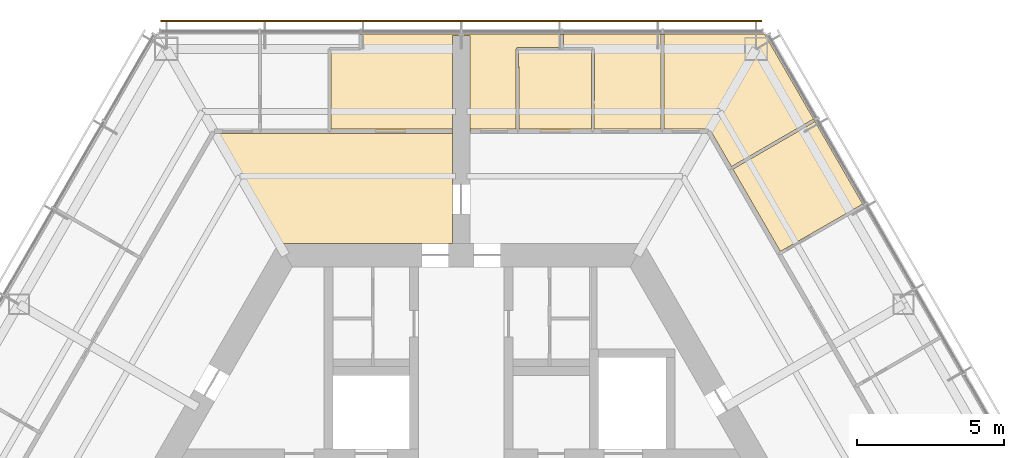
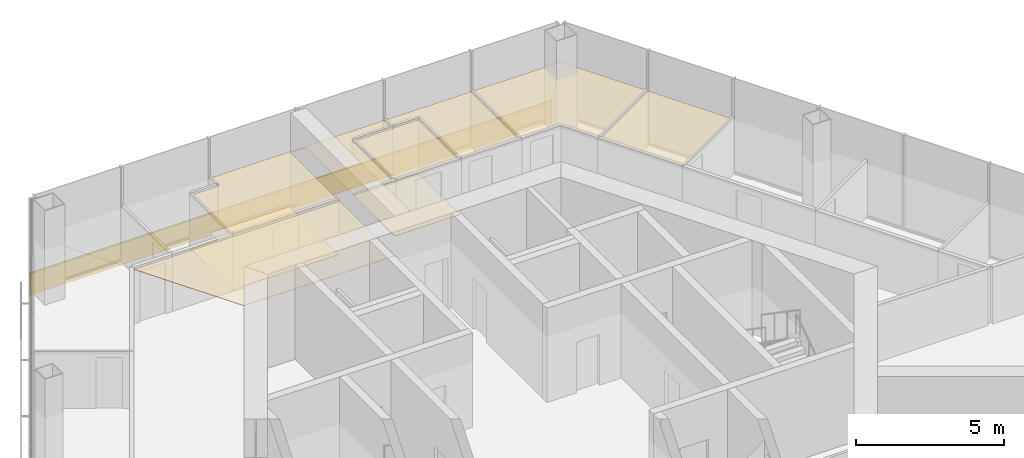
# One storey, part 13 of 13: 9 coverings, 1 shading device.
"""IFC4 building model written with IfcOpenShell, lengths in metres."""

from ifc_helpers import new_model, si_unit, direction, frame, origin, origin_2d, place, context, subcontext, project, spatial, polyline, rectangle, outline, extrude, material, layer, layer_set, type_object, element, save


model = new_model("IFC4")

# Units and contexts
model_context = context("Model", 3, precision=1e-05, world=origin(), true_north=direction((0.0, 1.0)))
body_context = subcontext(model_context, "Body", "Model", "MODEL_VIEW")
ifc_project = project(units=[si_unit("LENGTHUNIT", "METRE"), si_unit("AREAUNIT", "SQUARE_METRE"), si_unit("VOLUMEUNIT", "CUBIC_METRE"), si_unit("PLANEANGLEUNIT", "RADIAN"), si_unit("MASSUNIT", "GRAM", prefix="KILO")], contexts=[model_context])

# Site, building, storey
site_placement = place(None, origin())
site = spatial("IfcSite", under=ifc_project, at=site_placement, CompositionType="ELEMENT")
building_placement = place(site_placement, origin())
building = spatial("IfcBuilding", under=site, at=building_placement, Name="Kasaneha Research Tower", CompositionType="ELEMENT")
storey_placement = place(building_placement, frame((0.0, 0.0, 298.60009765625)))
storey = spatial("IfcBuildingStorey", under=building, at=storey_placement, Name="L75", CompositionType="ELEMENT", Elevation=298.60009765625)

# Coverings
ifc_material_1 = material(Name="Gypsum ceiling board", Category="gypsum")
ifc_layer_1 = layer(ifc_material_1, 0.02001953125)
ifc_layer_set_1 = layer_set([ifc_layer_1], Name="Suspended ceiling 20")
covering_type_1 = type_object("IfcCoveringType", Name="Suspended ceiling 20", PredefinedType="CEILING", material=ifc_layer_set_1)
covering_1_placement = place(storey_placement, frame((0.0, 0.0, 2.25)))
element("IfcCovering", 1, at=covering_1_placement, inside=storey, type_object=covering_type_1, Name="Ceiling L75-28", PredefinedType="CEILING", context=body_context, shape_type="SweptSolid", body=[
    extrude(outline(polyline([(1.9501953125, 17.27490234375), (3.410400390625, 17.27490234375), (3.42041015625, 17.27490234375), (4.414794921875, 17.27490234375), (4.41015625, 14.60009765625), (1.954833984375, 14.60009765625), (1.9501953125, 17.27490234375)])), origin(), (0.0, 0.0, 1.0), 0.02001953125),
])
covering_2_placement = place(storey_placement, frame((0.0, 0.0, 2.25)))
element("IfcCovering", 2, at=covering_2_placement, inside=storey, type_object=covering_type_1, Name="Ceiling L75-30", PredefinedType="CEILING", context=body_context, shape_type="SweptSolid", body=[
    extrude(outline(polyline([(13.623291015625, 12.004638671875), (13.598388671875, 12.0478515625), (10.824951171875, 10.450927734375), (9.213623046875, 13.241455078125), (11.99169921875, 14.850830078125), (11.966552734375, 14.894287109375), (11.975341796875, 14.899169921875), (13.640869140625, 12.0146484375), (13.623291015625, 12.004638671875)])), origin(), (0.0, 0.0, 1.0), 0.02001953125),
])
covering_3_placement = place(storey_placement, frame((0.0, 0.0, 2.25)))
element("IfcCovering", 3, at=covering_3_placement, inside=storey, type_object=covering_type_1, Name="Ceiling L75-31", PredefinedType="CEILING", context=body_context, shape_type="SweptSolid", body=[
    extrude(outline(polyline([(6.8310546875, 17.800537109375), (6.781005859375, 17.800537109375), (6.776123046875, 14.60009765625), (4.510009765625, 14.60009765625), (4.514892578125, 17.324951171875), (4.465087890625, 17.324951171875), (4.465087890625, 17.375), (3.469970703125, 17.375), (3.465576171875, 17.801025390625), (3.41552734375, 17.800537109375), (3.41552734375, 17.820556640625), (6.8310546875, 17.820556640625), (6.8310546875, 17.800537109375)])), origin(), (0.0, 0.0, 1.0), 0.02001953125),
])
covering_4_placement = place(storey_placement, frame((0.0, 0.0, 2.25)))
element("IfcCovering", 4, at=covering_4_placement, inside=storey, type_object=covering_type_1, Name="Ceiling L75-32", PredefinedType="CEILING", context=body_context, shape_type="SweptSolid", body=[
    extrude(outline(polyline([(3.41552734375, 17.820556640625), (3.41552734375, 17.800537109375), (3.365478515625, 17.800048828125), (3.369873046875, 17.375), (1.89990234375, 17.375), (1.89990234375, 17.324951171875), (1.85009765625, 17.324951171875), (1.85498046875, 14.60009765625), (0.320068359375, 14.60009765625), (0.320068359375, 14.52490234375), (0.300048828125, 14.52490234375), (0.300048828125, 17.7705078125), (0.300048828125, 17.7705078125), (0.0, 17.7705078125), (0.0, 17.820556640625), (3.41552734375, 17.820556640625)])), origin(), (0.0, 0.0, 1.0), 0.02001953125),
])
covering_5_placement = place(storey_placement, frame((0.0, 0.0, 2.25)))
element("IfcCovering", 5, at=covering_5_placement, inside=storey, type_object=covering_type_1, Name="Ceiling L75-34", PredefinedType="CEILING", context=body_context, shape_type="SweptSolid", body=[
    extrude(outline(polyline([(6.8310546875, 17.820556640625), (10.2890625, 17.821044921875), (11.975341796875, 14.8994140625), (11.966552734375, 14.894287109375), (11.941650390625, 14.9375), (9.16357421875, 13.328125), (8.450927734375, 14.5625), (8.385986328125, 14.52490234375), (8.385986328125, 14.60009765625), (6.8759765625, 14.60009765625), (6.880859375, 17.800537109375), (6.8310546875, 17.800537109375), (6.8310546875, 17.820556640625)])), origin(), (0.0, 0.0, 1.0), 0.02001953125),
])
covering_6_placement = place(storey_placement, frame((0.0, 0.0, 2.25)))
element("IfcCovering", 6, at=covering_6_placement, inside=storey, type_object=covering_type_1, Name="Ceiling L75-36", PredefinedType="CEILING", context=body_context, shape_type="SweptSolid", body=[
    extrude(outline(polyline([(-0.300048828125, 11.72509765625), (-0.300048828125, 10.72509765625), (-6.192138671875, 10.72509765625), (-8.3427734375, 14.449951171875), (-6.8359375, 14.449951171875), (-6.826416015625, 14.449951171875), (-4.469970703125, 14.449951171875), (-4.4599609375, 14.449951171875), (-0.320068359375, 14.449951171875), (-0.320068359375, 14.52490234375), (-0.300048828125, 14.52490234375), (-0.300048828125, 12.72509765625), (-0.300048828125, 11.72509765625)])), origin(), (0.0, 0.0, 1.0), 0.02001953125),
])
covering_7_placement = place(storey_placement, frame((0.0, 0.0, 2.25)))
element("IfcCovering", 7, at=covering_7_placement, inside=storey, type_object=covering_type_1, Name="Ceiling L75-37", PredefinedType="CEILING", context=body_context, shape_type="SweptSolid", body=[
    extrude(outline(polyline([(0.000244140625, 17.82080078125), (0.0, 17.7705078125), (-0.300048828125, 17.7705078125), (-0.300048828125, 14.525146484375), (-0.320068359375, 14.525146484375), (-0.320068359375, 14.60009765625), (-4.41015625, 14.60009765625), (-4.414794921875, 17.27490234375), (-3.4150390625, 17.27490234375), (-3.4150390625, 17.324951171875), (-3.4150390625, 17.324951171875), (-3.364990234375, 17.324951171875), (-3.364990234375, 17.800537109375), (-3.4150390625, 17.800537109375), (-3.4150390625, 17.821044921875), (0.000244140625, 17.82080078125)])), origin(), (0.0, 0.0, 1.0), 0.02001953125),
])

# Shading device
ifc_material_2 = material(Name="Terracotta", Category="masonry")
ifc_layer_2 = layer(ifc_material_2, 0.06005859375)
ifc_layer_set_2 = layer_set([ifc_layer_2], Name="Terracotta baguette screen")
shading_device_type = type_object("IfcShadingDeviceType", Name="Terracotta baguette screen", PredefinedType="USERDEFINED", material=ifc_layer_set_2)
shading_device_placement = place(storey_placement, frame((0.0, 18.2705078125, -0.449951171875), z_axis=(0.0, 0.0, 1.0), x_axis=(-1.0, 0.0, 0.0)))
element("IfcShadingDevice", 8, at=shading_device_placement, inside=storey, type_object=shading_device_type, Name="Baguette screen L75 02", ObjectType="TERRACOTTA BAGUETTE SCREEN", PredefinedType="USERDEFINED", context=body_context, shape_type="SweptSolid", body=[
    extrude(rectangle(XDim=20.392822265625, YDim=0.06005859375, at=origin_2d()), origin(), (0.0, 0.0, 1.0), 0.89990234375),
])

# Coverings
ifc_material_3 = material(Name="Vinyl sheet flooring", Category="plastic")
ifc_layer_3 = layer(ifc_material_3, 0.0048828125)
ifc_layer_set_3 = layer_set([ifc_layer_3], Name="Wet room sheet flooring 5")
covering_type_2 = type_object("IfcCoveringType", Name="Wet room sheet flooring 5", PredefinedType="FLOORING", material=ifc_layer_set_3)
covering_8_placement = place(storey_placement, origin())
element("IfcCovering", 9, at=covering_8_placement, inside=storey, type_object=covering_type_2, Name="Floor finish L75-28", PredefinedType="FLOORING", context=body_context, shape_type="SweptSolid", body=[
    extrude(outline(polyline([(1.89990234375, 17.324951171875), (4.465087890625, 17.324951171875), (4.465087890625, 14.52490234375), (1.89990234375, 14.52490234375), (1.89990234375, 17.324951171875)])), origin(), (0.0, 0.0, 1.0), 0.0048828125),
])
covering_9_placement = place(storey_placement, origin())
element("IfcCovering", 10, at=covering_9_placement, inside=storey, type_object=covering_type_2, Name="Floor finish L75-37", PredefinedType="FLOORING", context=body_context, shape_type="SweptSolid", body=[
    extrude(outline(polyline([(-3.4150390625, 17.324951171875), (-3.4150390625, 17.821044921875), (0.000244140625, 17.82080078125), (0.0, 17.77001953125), (-0.299560546875, 17.77001953125), (-0.299560546875, 14.525146484375), (-4.465087890625, 14.52490234375), (-4.465087890625, 17.324951171875), (-3.4150390625, 17.324951171875)])), origin(), (0.0, 0.0, 1.0), 0.0048828125),
])

save(model, "model.ifc")
